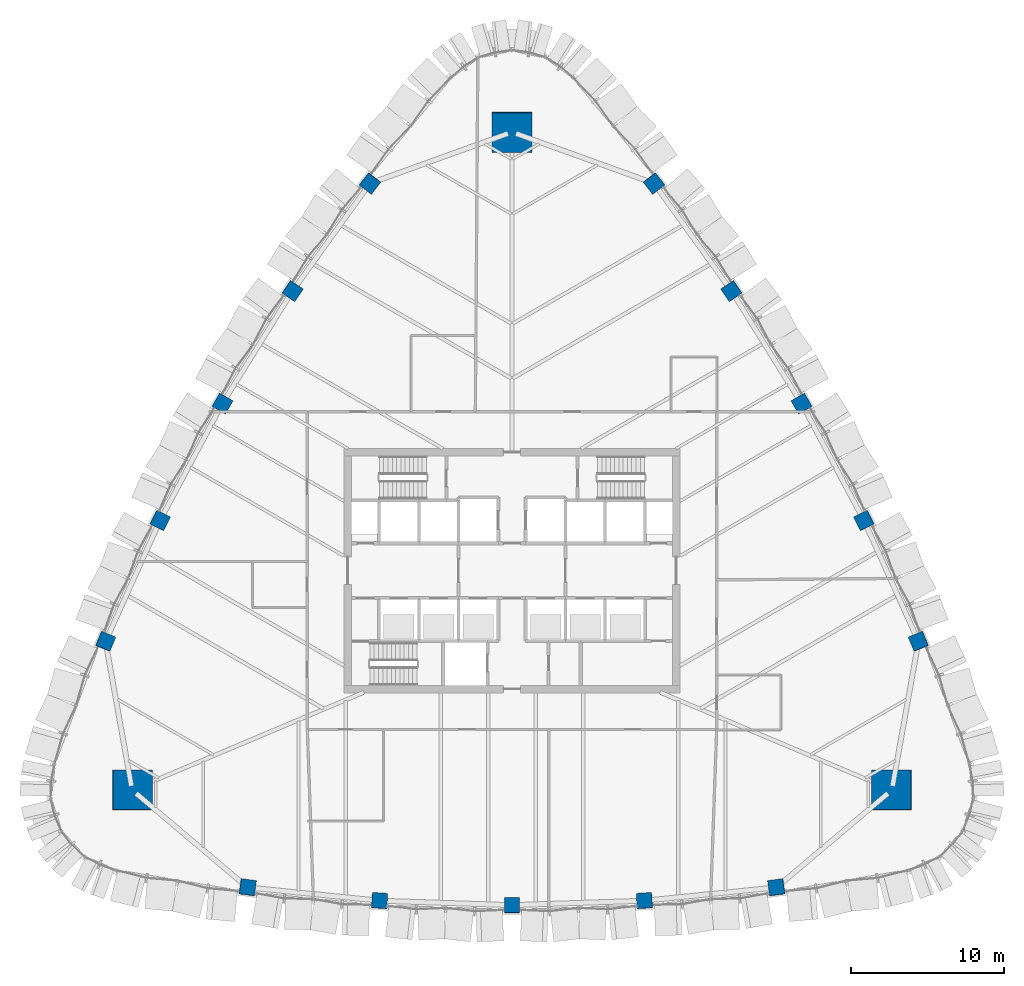
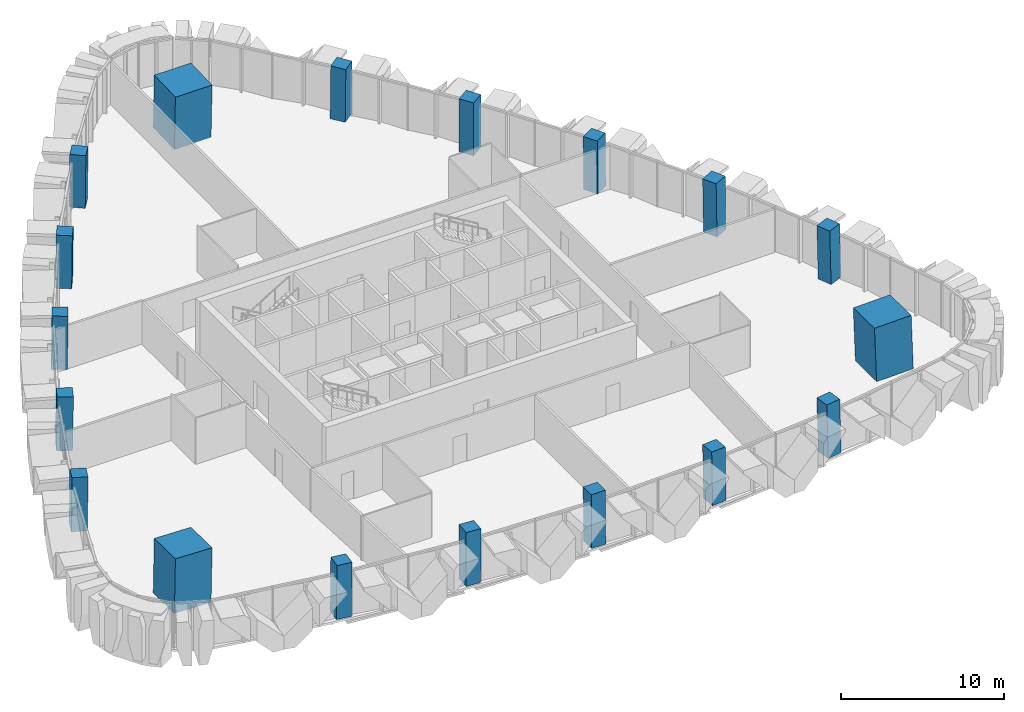
# One storey, part 1 of 18: 18 columns.
"""IFC4 building model written with IfcOpenShell, lengths in metres."""

from ifc_helpers import new_model, si_unit, direction, frame, origin, origin_2d, place, context, subcontext, project, spatial, rectangle, extrude, material, material_profile, profile_set, type_object, element, save


model = new_model("IFC4")

# Units and contexts
model_context = context("Model", 3, precision=1e-05, world=origin(), true_north=direction((0.0, 1.0)))
body_context = subcontext(model_context, "Body", "Model", "MODEL_VIEW")
ifc_project = project(units=[si_unit("LENGTHUNIT", "METRE"), si_unit("AREAUNIT", "SQUARE_METRE"), si_unit("VOLUMEUNIT", "CUBIC_METRE"), si_unit("PLANEANGLEUNIT", "RADIAN"), si_unit("MASSUNIT", "GRAM", prefix="KILO")], contexts=[model_context])

# Site, building, storey
site_placement = place(None, origin())
site = spatial("IfcSite", under=ifc_project, at=site_placement, CompositionType="ELEMENT")
building_placement = place(site_placement, origin())
building = spatial("IfcBuilding", under=site, at=building_placement, Name="Sierra Prisma Convention Tower", CompositionType="ELEMENT")
storey_placement = place(building_placement, frame((0.0, 0.0, 133.800048828125)))
storey = spatial("IfcBuildingStorey", under=building, at=storey_placement, Name="L28", CompositionType="ELEMENT", Elevation=133.800048828125)

# Columns
ifc_material_1 = material(Name="Concrete C60/75", Category="concrete")
ifc_material_profile_1 = material_profile(ifc_material_1, rectangle(XDim=2.60009765625, YDim=2.60009765625, at=origin_2d()), Name="Mega column RC 2600 C60/75")
ifc_profile_set_1 = profile_set([ifc_material_profile_1], Name="Concrete C60/75")
column_type_1 = type_object("IfcColumnType", Name="Mega column RC 2600 C60/75", PredefinedType="COLUMN", material=ifc_profile_set_1)
for number, where, z_axis, x_axis, name in (
    (1, (24.87060546875, -14.359130859375, 0.0), (-0.028122372328, 0.016226791842, 0.999472772716), (0.999604487872, 0.00045651644, 0.02811866672), "Mega column SE L28"),
    (2, (0.0, 28.71826171875, 0.0), (0.0, -0.032514537536, 0.999471262643), (1.0, 0.0, 0.0), "Mega column N L28"),
    (3, (-24.87060546875, -14.359130859375, 0.0), (0.028122372328, 0.016226791842, 0.999472772716), (0.999604487872, -0.00045651644, -0.02811866672), "Mega column SW L28"),
):
    element("IfcColumn", number, at=place(storey_placement, frame(where, z_axis=z_axis, x_axis=x_axis)), inside=storey, type_object=column_type_1, Name=name, PredefinedType="COLUMN", context=body_context, shape_type="SweptSolid", body=[
        extrude(rectangle(XDim=2.60009765625, YDim=2.60009765625, at=origin_2d()), origin(), (0.0, 0.0, 1.0), 4.002197265625),
    ])
ifc_material_2 = material(Name="Concrete C60/75", Category="concrete")
ifc_material_profile_2 = material_profile(ifc_material_2, rectangle(XDim=1.0, YDim=1.0, at=origin_2d()), Name="Perimeter column RC 1000 C60/75")
ifc_profile_set_2 = profile_set([ifc_material_profile_2], Name="Concrete C60/75")
column_type_2 = type_object("IfcColumnType", Name="Perimeter column RC 1000 C60/75", PredefinedType="COLUMN", material=ifc_profile_set_2)
column_1_placement = place(storey_placement, frame((-17.314208984375, -20.733154296875, 0.0), z_axis=(0.017696448434, 0.010495824588, 0.999788314284), x_axis=(-0.990889638844, 0.133706305787, 0.016135285075)))
element("IfcColumn", 4, at=column_1_placement, inside=storey, type_object=column_type_2, Name="Perimeter column S-1 L28", PredefinedType="COLUMN", context=body_context, shape_type="SweptSolid", body=[
    extrude(rectangle(XDim=1.0, YDim=1.0, at=origin_2d()), origin(), (0.0, 0.0, 1.0), 4.000732421875),
])
column_2_placement = place(storey_placement, frame((-8.676513671875, -21.603759765625, 0.0), z_axis=(0.008849193104, 0.011229320904, 0.999897791843), x_axis=(-0.99771962889, 0.067009688007, 0.008077365942)))
element("IfcColumn", 5, at=column_2_placement, inside=storey, type_object=column_type_2, Name="Perimeter column S-2 L28", PredefinedType="COLUMN", context=body_context, shape_type="SweptSolid", body=[
    extrude(rectangle(XDim=1.0, YDim=1.0, at=origin_2d()), origin(), (0.0, 0.0, 1.0), 4.00048828125),
])
column_3_placement = place(storey_placement, frame((0.0, -21.894287109375, 0.0), z_axis=(0.0, 0.01141283087, 0.999934871525), x_axis=(1.0, 0.0, 0.0)))
element("IfcColumn", 6, at=column_3_placement, inside=storey, type_object=column_type_2, Name="Perimeter column S-3 L28", PredefinedType="COLUMN", context=body_context, shape_type="SweptSolid", body=[
    extrude(rectangle(XDim=1.0, YDim=1.0, at=origin_2d()), origin(), (0.0, 0.0, 1.0), 4.000244140625),
])
column_4_placement = place(storey_placement, frame((8.676513671875, -21.603759765625, 0.0), z_axis=(-0.008849193104, 0.011229320904, 0.999897791843), x_axis=(0.99771962889, 0.067009688007, 0.008077365942)))
element("IfcColumn", 7, at=column_4_placement, inside=storey, type_object=column_type_2, Name="Perimeter column S-4 L28", PredefinedType="COLUMN", context=body_context, shape_type="SweptSolid", body=[
    extrude(rectangle(XDim=1.0, YDim=1.0, at=origin_2d()), origin(), (0.0, 0.0, 1.0), 4.00048828125),
])
for number, where, z_axis, x_axis, name in (
    (8, (17.314208984375, -20.733154296875, 0.0), (-0.017696448434, 0.010495824588, 0.999788314284), (0.990889638844, 0.133706305787, 0.016135285075), "Perimeter column S-5 L28"),
    (9, (26.612548828125, -4.6279296875, 0.0), (-0.01794052709, 0.010129685364, 0.999787740954), (-0.379821285392, 0.924918255815, -0.016186760765), "Perimeter column NE-1 L28"),
):
    element("IfcColumn", number, at=place(storey_placement, frame(where, z_axis=z_axis, x_axis=x_axis)), inside=storey, type_object=column_type_2, Name=name, PredefinedType="COLUMN", context=body_context, shape_type="SweptSolid", body=[
        extrude(rectangle(XDim=1.0, YDim=1.0, at=origin_2d()), origin(), (0.0, 0.0, 1.0), 4.000732421875),
    ])
column_5_placement = place(storey_placement, frame((23.047607421875, 3.287841796875, 0.0), z_axis=(-0.014097689605, 0.002074984617, 0.999898469639), x_axis=(-0.440885651206, 0.897526923314, -0.008078643849)))
element("IfcColumn", 10, at=column_5_placement, inside=storey, type_object=column_type_2, Name="Perimeter column NE-2 L28", PredefinedType="COLUMN", context=body_context, shape_type="SweptSolid", body=[
    extrude(rectangle(XDim=1.0, YDim=1.0, at=origin_2d()), origin(), (0.0, 0.0, 1.0), 4.00048828125),
])
column_6_placement = place(storey_placement, frame((18.9609375, 10.947021484375, 0.0), z_axis=(-0.009887052741, -0.005675900648, 0.999935013058), x_axis=(-0.49997556095, 0.866039512773, -2.7732311e-05)))
element("IfcColumn", 11, at=column_6_placement, inside=storey, type_object=column_type_2, Name="Perimeter column NE-3 L28", PredefinedType="COLUMN", context=body_context, shape_type="SweptSolid", body=[
    extrude(rectangle(XDim=1.0, YDim=1.0, at=origin_2d()), origin(), (0.0, 0.0, 1.0), 4.000244140625),
])
column_7_placement = place(storey_placement, frame((14.37109375, 18.31591796875, 0.0), z_axis=(-0.005248486563, -0.013304303149, 0.999897719223), x_axis=(-0.556821556962, 0.830592364577, 0.008128813573)))
element("IfcColumn", 12, at=column_7_placement, inside=storey, type_object=column_type_2, Name="Perimeter column NE-4 L28", PredefinedType="COLUMN", context=body_context, shape_type="SweptSolid", body=[
    extrude(rectangle(XDim=1.0, YDim=1.0, at=origin_2d()), origin(), (0.0, 0.0, 1.0), 4.00048828125),
])
for number, where, z_axis, x_axis, name in (
    (13, (9.29833984375, 25.361083984375, 0.0), (-0.000183066744, -0.020564497584, 0.999788511599), (-0.61116239541, 0.791340140314, 0.016165047614), "Perimeter column NE-5 L28"),
    (14, (-9.29833984375, 25.361083984375, 0.0), (0.000183066744, -0.020564497584, 0.999788511599), (0.61116239541, 0.791340140314, 0.016165047614), "Perimeter column NW-1 L28"),
):
    element("IfcColumn", number, at=place(storey_placement, frame(where, z_axis=z_axis, x_axis=x_axis)), inside=storey, type_object=column_type_2, Name=name, PredefinedType="COLUMN", context=body_context, shape_type="SweptSolid", body=[
        extrude(rectangle(XDim=1.0, YDim=1.0, at=origin_2d()), origin(), (0.0, 0.0, 1.0), 4.000732421875),
    ])
column_8_placement = place(storey_placement, frame((-14.37109375, 18.31591796875, 0.0), z_axis=(0.005248486563, -0.013304303149, 0.999897719223), x_axis=(0.556821556962, 0.830592364577, 0.008128813573)))
element("IfcColumn", 15, at=column_8_placement, inside=storey, type_object=column_type_2, Name="Perimeter column NW-2 L28", PredefinedType="COLUMN", context=body_context, shape_type="SweptSolid", body=[
    extrude(rectangle(XDim=1.0, YDim=1.0, at=origin_2d()), origin(), (0.0, 0.0, 1.0), 4.00048828125),
])
column_9_placement = place(storey_placement, frame((-18.9609375, 10.947021484375, 0.0), z_axis=(0.009887052741, -0.005675900648, 0.999935013058), x_axis=(0.49997556095, 0.866039512773, -2.7732311e-05)))
element("IfcColumn", 16, at=column_9_placement, inside=storey, type_object=column_type_2, Name="Perimeter column NW-3 L28", PredefinedType="COLUMN", context=body_context, shape_type="SweptSolid", body=[
    extrude(rectangle(XDim=1.0, YDim=1.0, at=origin_2d()), origin(), (0.0, 0.0, 1.0), 4.000244140625),
])
column_10_placement = place(storey_placement, frame((-23.047607421875, 3.287841796875, 0.0), z_axis=(0.014097689605, 0.002074984617, 0.999898469639), x_axis=(0.440885651206, 0.897526923314, -0.008078643849)))
element("IfcColumn", 17, at=column_10_placement, inside=storey, type_object=column_type_2, Name="Perimeter column NW-4 L28", PredefinedType="COLUMN", context=body_context, shape_type="SweptSolid", body=[
    extrude(rectangle(XDim=1.0, YDim=1.0, at=origin_2d()), origin(), (0.0, 0.0, 1.0), 4.00048828125),
])
column_11_placement = place(storey_placement, frame((-26.612548828125, -4.6279296875, 0.0), z_axis=(0.01794052709, 0.010129685364, 0.999787740954), x_axis=(0.379821285392, 0.924918255815, -0.016186760765)))
element("IfcColumn", 18, at=column_11_placement, inside=storey, type_object=column_type_2, Name="Perimeter column NW-5 L28", PredefinedType="COLUMN", context=body_context, shape_type="SweptSolid", body=[
    extrude(rectangle(XDim=1.0, YDim=1.0, at=origin_2d()), origin(), (0.0, 0.0, 1.0), 4.000732421875),
])

save(model, "model.ifc")
